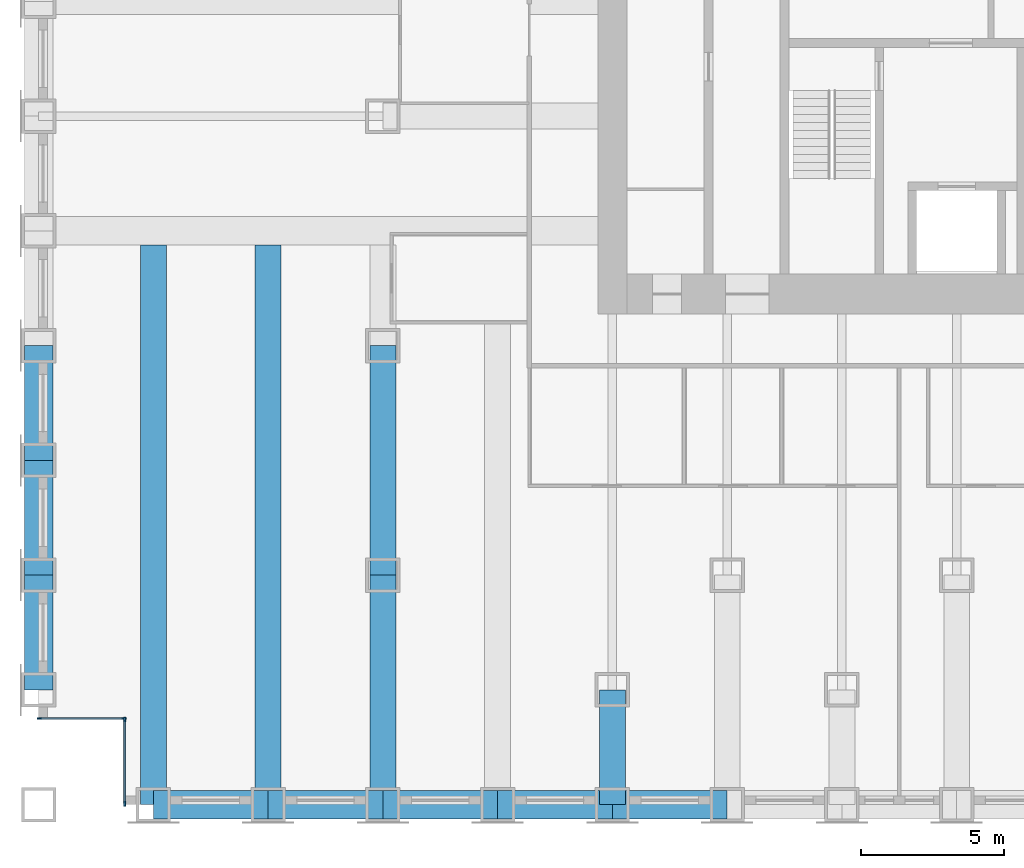
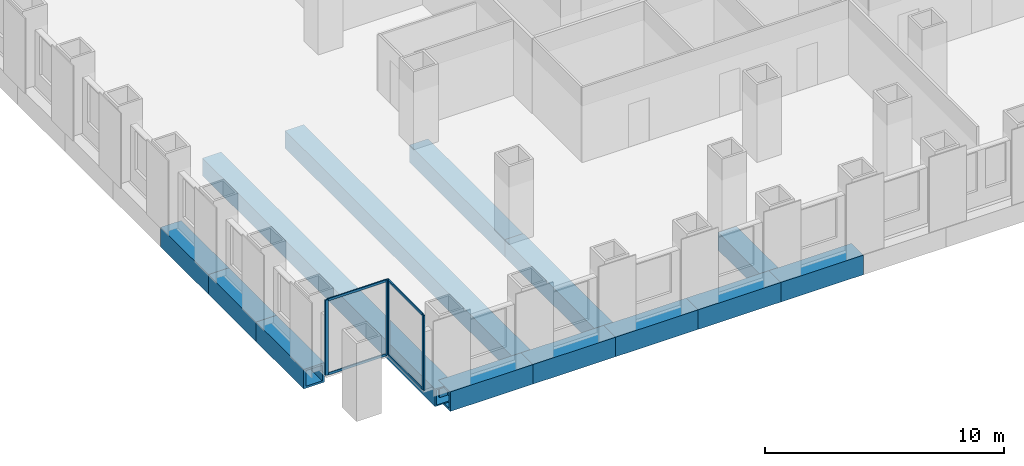
# One storey, part 2 of 14: 13 beams, 8 members, 2 elements without a shape of their own.
"""IFC4 building model written with IfcOpenShell, lengths in metres."""

from ifc_helpers import new_model, si_unit, direction, frame, origin, origin_2d, place, context, subcontext, project, spatial, rectangle, hollow_rectangle, extrude, material, material_profile, profile_set, type_object, element, aggregate, save


model = new_model("IFC4")

# Units and contexts
model_context = context("Model", 3, precision=1e-05, world=origin(), true_north=direction((0.0, 1.0)))
body_context = subcontext(model_context, "Body", "Model", "MODEL_VIEW")
ifc_project = project(units=[si_unit("LENGTHUNIT", "METRE"), si_unit("AREAUNIT", "SQUARE_METRE"), si_unit("VOLUMEUNIT", "CUBIC_METRE"), si_unit("PLANEANGLEUNIT", "RADIAN"), si_unit("MASSUNIT", "GRAM", prefix="KILO")], contexts=[model_context])

# Site, building, storey
site_placement = place(None, origin())
site = spatial("IfcSite", under=ifc_project, at=site_placement, CompositionType="ELEMENT")
building_placement = place(site_placement, origin())
building = spatial("IfcBuilding", under=site, at=building_placement, Name="Rimbunsela Tower", CompositionType="ELEMENT")
storey_placement = place(building_placement, frame((0.0, 0.0, 51.0)))
storey = spatial("IfcBuildingStorey", under=building, at=storey_placement, Name="L12", CompositionType="ELEMENT", Elevation=51.0)

# Beams
ifc_material_1 = material(Name="Steel BJ 55 (fy 410 MPa)", Category="steel")
ifc_material_profile_1 = material_profile(ifc_material_1, hollow_rectangle(XDim=1.0, YDim=1.0, WallThickness=0.10009765625, at=origin_2d()), Name="BOX 1000x1000x100")
ifc_profile_set_1 = profile_set([ifc_material_profile_1], Name="Steel BJ 55 (fy 410 MPa)")
beam_type_1 = type_object("IfcBeamType", Name="Beam BOX 1000x1000x100", PredefinedType="BEAM", material=ifc_profile_set_1)
for number, where, z_axis, x_axis, name in (
    (1, (-2.0, 4.0, -0.64990234375), (0.0, 1.0, 0.0), (-1.0, 0.0, 0.0), "Beam B3 L12"),
    (2, (-2.0, 8.0, -0.64990234375), (0.0, 1.0, 0.0), (-1.0, 0.0, 0.0), "Beam B3 L12"),
    (3, (-2.0, 12.0, -0.64990234375), (0.0, 1.0, 0.0), (-1.0, 0.0, 0.0), "Beam B3 L12"),
    (4, (2.0, 0.0, -0.64990234375), (1.0, 0.0, 0.0), (0.0, 1.0, 0.0), "Beam B3 L12"),
    (5, (6.0, 0.0, -0.64990234375), (1.0, 0.0, 0.0), (0.0, 1.0, 0.0), "Beam B3 L12"),
    (6, (10.0, 0.0, -0.64990234375), (1.0, 0.0, 0.0), (0.0, 1.0, 0.0), "Beam B3 L12"),
    (7, (14.0, 0.0, -0.64990234375), (1.0, 0.0, 0.0), (0.0, 1.0, 0.0), "Beam B3 L12"),
    (8, (18.0, 0.0, -0.64990234375), (1.0, 0.0, 0.0), (0.0, 1.0, 0.0), "Beam B3 L12"),
):
    element("IfcBeam", number, at=place(storey_placement, frame(where, z_axis=z_axis, x_axis=x_axis)), inside=storey, type_object=beam_type_1, Name=name, PredefinedType="BEAM", context=body_context, shape_type="SweptSolid", body=[
        extrude(hollow_rectangle(XDim=1.0, YDim=1.0, WallThickness=0.10009765625, at=origin_2d()), origin(), (0.0, 0.0, 1.0), 4.0),
    ])
ifc_material_2 = material(Name="Steel BJ 55 (fy 410 MPa)", Category="steel")
ifc_material_profile_2 = material_profile(ifc_material_2, hollow_rectangle(XDim=0.89990234375, YDim=0.89990234375, WallThickness=0.06005859375, at=origin_2d()), Name="BOX 900x900x60")
ifc_profile_set_2 = profile_set([ifc_material_profile_2], Name="Steel BJ 55 (fy 410 MPa)")
beam_type_2 = type_object("IfcBeamType", Name="Beam BOX 900x900x60", PredefinedType="BEAM", material=ifc_profile_set_2)
for number, where, z_axis, x_axis, name in (
    (9, (2.0, 0.0, -0.60009765625), (0.0, 1.0, 0.0), (-1.0, 0.0, 0.0), "Beam B1 L12"),
    (10, (6.0, 0.0, -0.60009765625), (0.0, 1.0, 0.0), (-1.0, 0.0, 0.0), "Beam B1 L12"),
):
    element("IfcBeam", number, at=place(storey_placement, frame(where, z_axis=z_axis, x_axis=x_axis)), inside=storey, type_object=beam_type_2, Name=name, PredefinedType="BEAM", context=body_context, shape_type="SweptSolid", body=[
        extrude(hollow_rectangle(XDim=0.89990234375, YDim=0.89990234375, WallThickness=0.06005859375, at=origin_2d()), origin(), (0.0, 0.0, 1.0), 19.5),
    ])
for number, where, z_axis, x_axis, name in (
    (11, (10.0, 0.0, -0.60009765625), (0.0, 1.0, 0.0), (-1.0, 0.0, 0.0), "Beam B1 L12"),
    (12, (10.0, 8.0, -0.60009765625), (0.0, 1.0, 0.0), (-1.0, 0.0, 0.0), "Beam B1 L12"),
):
    element("IfcBeam", number, at=place(storey_placement, frame(where, z_axis=z_axis, x_axis=x_axis)), inside=storey, type_object=beam_type_2, Name=name, PredefinedType="BEAM", context=body_context, shape_type="SweptSolid", body=[
        extrude(hollow_rectangle(XDim=0.89990234375, YDim=0.89990234375, WallThickness=0.06005859375, at=origin_2d()), origin(), (0.0, 0.0, 1.0), 8.0),
    ])
beam_placement = place(storey_placement, frame((18.0, 0.0, -0.60009765625), z_axis=(0.0, 1.0, 0.0), x_axis=(-1.0, 0.0, 0.0)))
element("IfcBeam", 13, at=beam_placement, inside=storey, type_object=beam_type_2, Name="Beam B1 L12", PredefinedType="BEAM", context=body_context, shape_type="SweptSolid", body=[
    extrude(hollow_rectangle(XDim=0.89990234375, YDim=0.89990234375, WallThickness=0.06005859375, at=origin_2d()), origin(), (0.0, 0.0, 1.0), 4.0),
])

# Curtain wall, members
ifc_material_3 = material(Name="Aluminium curtain wall", Category="aluminium")
curtain_wall_type = type_object("IfcCurtainWallType", Name="Corner glazing", PredefinedType="USERDEFINED", material=ifc_material_3)
curtain_wall_1_placement = place(storey_placement, origin())
curtain_wall_1 = element("IfcCurtainWall", 14, at=curtain_wall_1_placement, inside=storey, type_object=curtain_wall_type, Name="Corner glazing L12", ObjectType="CORNER GLAZING", PredefinedType="USERDEFINED")
ifc_material_4 = material(Name="Aluminium mullion", Category="aluminium")
ifc_material_profile_3 = material_profile(ifc_material_4, rectangle(XDim=0.06005859375, YDim=0.159912109375, at=origin_2d()), Name="Mullion 60x160")
ifc_profile_set_3 = profile_set([ifc_material_profile_3], Name="Aluminium mullion")
member_type_1 = type_object("IfcMemberType", Name="Curtain wall mullion 60x160", PredefinedType="MULLION", material=ifc_profile_set_3)
member_1_placement = place(storey_placement, frame((-1.969970703125, 3.0, 0.0), z_axis=(0.0, 0.0, 1.0), x_axis=(0.0, 1.0, 0.0)))
member_1 = element("IfcMember", 15, at=member_1_placement, type_object=member_type_1, Name="CW5 mullion 1", PredefinedType="MULLION", context=body_context, shape_type="SweptSolid", body=[
    extrude(rectangle(XDim=0.06005859375, YDim=0.159912109375, at=origin_2d()), origin(), (0.0, 0.0, 1.0), 3.85009765625),
])
member_2_placement = place(storey_placement, frame((0.969970703125, 3.0, 0.0), z_axis=(0.0, 0.0, 1.0), x_axis=(0.0, 1.0, 0.0)))
member_2 = element("IfcMember", 16, at=member_2_placement, type_object=member_type_1, Name="CW5 mullion 2", PredefinedType="MULLION", context=body_context, shape_type="SweptSolid", body=[
    extrude(rectangle(XDim=0.06005859375, YDim=0.159912109375, at=origin_2d()), origin(), (0.0, 0.0, 1.0), 3.85009765625),
])

curtain_wall_2_placement = place(storey_placement, origin())
curtain_wall_2 = element("IfcCurtainWall", 17, at=curtain_wall_2_placement, inside=storey, type_object=curtain_wall_type, Name="Corner glazing L12", ObjectType="CORNER GLAZING", PredefinedType="USERDEFINED")
member_3_placement = place(storey_placement, frame((1.0, 2.969970703125, 0.0), z_axis=(0.0, 0.0, 1.0), x_axis=(1.0, 0.0, 0.0)))
member_3 = element("IfcMember", 18, at=member_3_placement, type_object=member_type_1, Name="CW5 mullion 1", PredefinedType="MULLION", context=body_context, shape_type="SweptSolid", body=[
    extrude(rectangle(XDim=0.06005859375, YDim=0.159912109375, at=origin_2d()), origin(), (0.0, 0.0, 1.0), 3.85009765625),
])
member_4_placement = place(storey_placement, frame((1.0, 0.030029296875, 0.0), z_axis=(0.0, 0.0, 1.0), x_axis=(1.0, 0.0, 0.0)))
member_4 = element("IfcMember", 19, at=member_4_placement, type_object=member_type_1, Name="CW5 mullion 2", PredefinedType="MULLION", context=body_context, shape_type="SweptSolid", body=[
    extrude(rectangle(XDim=0.06005859375, YDim=0.159912109375, at=origin_2d()), origin(), (0.0, 0.0, 1.0), 3.85009765625),
])

# Member
ifc_material_5 = material(Name="Aluminium transom", Category="aluminium")
ifc_material_profile_4 = material_profile(ifc_material_5, rectangle(XDim=0.06005859375, YDim=0.1201171875, at=origin_2d()), Name="Transom 60x120")
ifc_profile_set_4 = profile_set([ifc_material_profile_4], Name="Aluminium transom")
member_type_2 = type_object("IfcMemberType", Name="Curtain wall transom 60x120", PredefinedType="USERDEFINED", material=ifc_profile_set_4)
member_5_placement = place(storey_placement, frame((-1.93994140625, 3.0, 0.030029296875), z_axis=(1.0, 0.0, 0.0), x_axis=(0.0, 1.0, 0.0)))
member_5 = element("IfcMember", 20, at=member_5_placement, type_object=member_type_2, Name="CW5 transom 1.1", ObjectType="TRANSOM", PredefinedType="USERDEFINED", context=body_context, shape_type="SweptSolid", body=[
    extrude(rectangle(XDim=0.06005859375, YDim=0.1201171875, at=origin_2d()), origin(), (0.0, 0.0, 1.0), 2.8798828125),
])

member_6_placement = place(storey_placement, frame((-1.93994140625, 3.0, 3.820068359375), z_axis=(1.0, 0.0, 0.0), x_axis=(0.0, 1.0, 0.0)))
member_6 = element("IfcMember", 21, at=member_6_placement, type_object=member_type_2, Name="CW5 transom 1.2", ObjectType="TRANSOM", PredefinedType="USERDEFINED", context=body_context, shape_type="SweptSolid", body=[
    extrude(rectangle(XDim=0.06005859375, YDim=0.1201171875, at=origin_2d()), origin(), (0.0, 0.0, 1.0), 2.8798828125),
])

aggregate(curtain_wall_1, [member_1, member_2, member_5, member_6])

member_7_placement = place(storey_placement, frame((1.0, 2.93994140625, 0.030029296875), z_axis=(0.0, -1.0, 0.0), x_axis=(1.0, 0.0, 0.0)))
member_7 = element("IfcMember", 22, at=member_7_placement, type_object=member_type_2, Name="CW5 transom 1.1", ObjectType="TRANSOM", PredefinedType="USERDEFINED", context=body_context, shape_type="SweptSolid", body=[
    extrude(rectangle(XDim=0.06005859375, YDim=0.1201171875, at=origin_2d()), origin(), (0.0, 0.0, 1.0), 2.8798828125),
])

member_8_placement = place(storey_placement, frame((1.0, 2.93994140625, 3.820068359375), z_axis=(0.0, -1.0, 0.0), x_axis=(1.0, 0.0, 0.0)))
member_8 = element("IfcMember", 23, at=member_8_placement, type_object=member_type_2, Name="CW5 transom 1.2", ObjectType="TRANSOM", PredefinedType="USERDEFINED", context=body_context, shape_type="SweptSolid", body=[
    extrude(rectangle(XDim=0.06005859375, YDim=0.1201171875, at=origin_2d()), origin(), (0.0, 0.0, 1.0), 2.8798828125),
])

aggregate(curtain_wall_2, [member_3, member_4, member_7, member_8])

save(model, "model.ifc")
